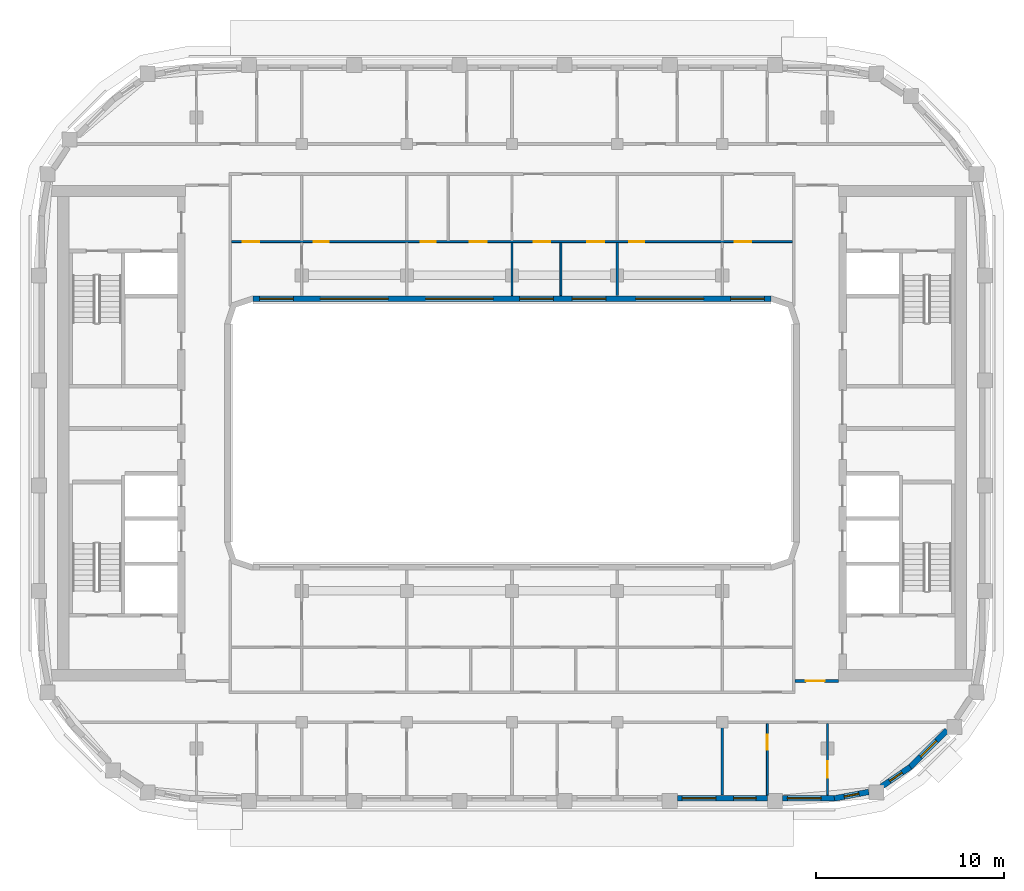
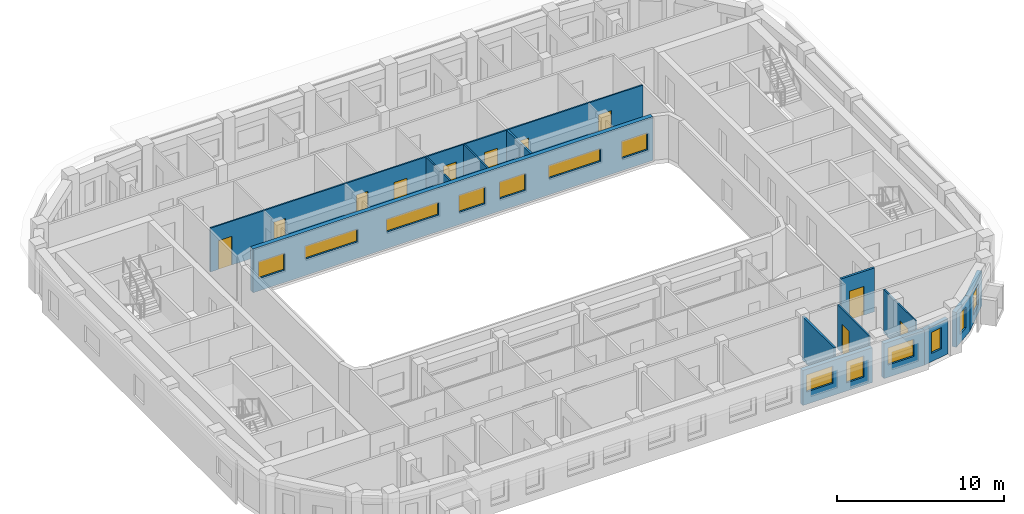
# One storey, part 5 of 16: 14 walls, 13 windows, 11 doors, 24 openings.
"""IFC4 building model written with IfcOpenShell, lengths in metres."""

from ifc_helpers import new_model, si_unit, direction, frame, frame_2d, origin, place, context, subcontext, project, spatial, rectangle, extrude, material, layer, layer_set, type_object, element, fill, save


model = new_model("IFC4")

# Units and contexts
model_context = context("Model", 3, precision=1e-05, world=origin(), true_north=direction((0.0, 1.0)))
body_context = subcontext(model_context, "Body", "Model", "MODEL_VIEW")
ifc_project = project(units=[si_unit("LENGTHUNIT", "METRE"), si_unit("AREAUNIT", "SQUARE_METRE"), si_unit("VOLUMEUNIT", "CUBIC_METRE"), si_unit("PLANEANGLEUNIT", "RADIAN"), si_unit("MASSUNIT", "GRAM", prefix="KILO")], contexts=[model_context])

# Site, building, storey
site_placement = place(None, origin())
site = spatial("IfcSite", under=ifc_project, at=site_placement, CompositionType="ELEMENT")
building_placement = place(site_placement, origin())
building = spatial("IfcBuilding", under=site, at=building_placement, Name="Kiln Ring Residences", CompositionType="ELEMENT")
storey_placement = place(building_placement, frame((0.0, 0.0, 255.699951171875)))
storey = spatial("IfcBuildingStorey", under=building, at=storey_placement, Name="L66", CompositionType="ELEMENT", Elevation=255.699951171875)

# Wall, openings, windows
ifc_material_1 = material(Name="Brick masonry, dark clay brick", Category="masonry")
ifc_layer_1 = layer(ifc_material_1, 0.300048828125)
ifc_layer_set_1 = layer_set([ifc_layer_1], Name="EW-300 BRICK WALL")
wall_type_1 = type_object("IfcWallType", Name="EW-300 BRICK WALL", PredefinedType="SOLIDWALL", material=ifc_layer_set_1)
wall_1_placement = place(storey_placement, frame((8.800048828125, -19.449951171875, 0.0), z_axis=(0.0, 0.0, 1.0), x_axis=(1.0, 0.0, 0.0)))
wall_1 = element("IfcWall", 1, at=wall_1_placement, inside=storey, type_object=wall_type_1, Name="Facade wall L66 9", PredefinedType="SOLIDWALL", context=body_context, shape_type="SweptSolid", body=[
    extrude(rectangle(XDim=4.800048828125, YDim=0.300048828125, at=frame_2d((2.39990234375, 0.0))), origin(), (0.0, 0.0, 1.0), 2.550048828125),
])
opening_1_placement = place(wall_1_placement, frame((0.262451171875, 0.0, 0.89990234375)))
opening_1 = element("IfcOpeningElement", 2, at=opening_1_placement, cuts=wall_1, Name="Opening W2", PredefinedType="OPENING", context=body_context, shape_type="SweptSolid", body=[
    extrude(rectangle(XDim=1.800048828125, YDim=1.25, at=frame_2d((0.89990234375, 0.625))), frame((0.0, 0.159912109375, 0.0), z_axis=(0.0, -1.0, 0.0), x_axis=(1.0, 0.0, 0.0)), (0.0, 0.0, 1.0), 0.320068359375),
])
opening_2_placement = place(wall_1_placement, frame((3.0, 0.0, 0.60009765625)))
opening_2 = element("IfcOpeningElement", 3, at=opening_2_placement, cuts=wall_1, Name="Opening W1", PredefinedType="OPENING", context=body_context, shape_type="SweptSolid", body=[
    extrude(rectangle(XDim=1.199951171875, YDim=1.550048828125, at=frame_2d((0.60009765625, 0.77490234375))), frame((0.0, 0.159912109375, 0.0), z_axis=(0.0, -1.0, 0.0), x_axis=(1.0, 0.0, 0.0)), (0.0, 0.0, 1.0), 0.320068359375),
])
ifc_material_2 = material(Name="Aluminium frame with double glazing", Category="aluminium")
window_type_1 = type_object("IfcWindowType", Name="WINDOW 1200 x 1550", PartitioningType="SINGLE_PANEL", PredefinedType="WINDOW", material=ifc_material_2)
window_1_placement = place(opening_2_placement, origin())
window_1 = element("IfcWindow", 4, at=window_1_placement, inside=storey, type_object=window_type_1, Name="Window L66 13", OverallHeight=1.550048828125, OverallWidth=1.199951171875, PartitioningType="SINGLE_PANEL", PredefinedType="WINDOW", context=body_context, shape_type="SweptSolid", body=[
    extrude(rectangle(XDim=1.199951171875, YDim=1.550048828125, at=frame_2d((0.60009765625, 0.77490234375))), frame((0.0, 0.030029296875, 0.0), z_axis=(0.0, -1.0, 0.0), x_axis=(1.0, 0.0, 0.0)), (0.0, 0.0, 1.0), 0.06005859375),
])
fill(opening_2, window_1)
ifc_material_3 = material(Name="Aluminium frame with double glazing", Category="aluminium")
window_type_2 = type_object("IfcWindowType", Name="WINDOW 1800 x 1250", PartitioningType="SINGLE_PANEL", PredefinedType="WINDOW", material=ifc_material_3)
window_2_placement = place(opening_1_placement, origin())
window_2 = element("IfcWindow", 5, at=window_2_placement, inside=storey, type_object=window_type_2, Name="Window L66 12", OverallHeight=1.25, OverallWidth=1.800048828125, PartitioningType="SINGLE_PANEL", PredefinedType="WINDOW", context=body_context, shape_type="SweptSolid", body=[
    extrude(rectangle(XDim=1.800048828125, YDim=1.25, at=frame_2d((0.89990234375, 0.625))), frame((0.0, 0.030029296875, 0.0), z_axis=(0.0, -1.0, 0.0), x_axis=(1.0, 0.0, 0.0)), (0.0, 0.0, 1.0), 0.06005859375),
])
fill(opening_1, window_2)

# Wall, opening, window
wall_2_placement = place(storey_placement, frame((14.39990234375, -19.449951171875, 0.0), z_axis=(0.0, 0.0, 1.0), x_axis=(1.0, 0.0, 0.0)))
wall_2 = element("IfcWall", 6, at=wall_2_placement, inside=storey, type_object=wall_type_1, Name="Facade wall L66 10", PredefinedType="SOLIDWALL", context=body_context, shape_type="SweptSolid", body=[
    extrude(rectangle(XDim=2.800048828125, YDim=0.300048828125, at=frame_2d((1.39990234375, 0.0))), origin(), (0.0, 0.0, 1.0), 2.550048828125),
])
opening_3_placement = place(wall_2_placement, frame((0.262451171875, 0.0, 0.89990234375)))
opening_3 = element("IfcOpeningElement", 7, at=opening_3_placement, cuts=wall_2, Name="Opening W2", PredefinedType="OPENING", context=body_context, shape_type="SweptSolid", body=[
    extrude(rectangle(XDim=1.800048828125, YDim=1.25, at=frame_2d((0.89990234375, 0.625))), frame((0.0, 0.159912109375, 0.0), z_axis=(0.0, -1.0, 0.0), x_axis=(1.0, 0.0, 0.0)), (0.0, 0.0, 1.0), 0.320068359375),
])
window_3_placement = place(opening_3_placement, origin())
window_3 = element("IfcWindow", 8, at=window_3_placement, inside=storey, type_object=window_type_2, Name="Window L66 14", OverallHeight=1.25, OverallWidth=1.800048828125, PartitioningType="SINGLE_PANEL", PredefinedType="WINDOW", context=body_context, shape_type="SweptSolid", body=[
    extrude(rectangle(XDim=1.800048828125, YDim=1.25, at=frame_2d((0.89990234375, 0.625))), frame((0.0, 0.030029296875, 0.0), z_axis=(0.0, -1.0, 0.0), x_axis=(1.0, 0.0, 0.0)), (0.0, 0.0, 1.0), 0.06005859375),
])
fill(opening_3, window_3)

wall_3_placement = place(storey_placement, frame((17.171875, -19.45263671875, 0.0), z_axis=(0.0, 0.0, 1.0), x_axis=(0.982301706131, 0.187305520826, 0.0)))
wall_3 = element("IfcWall", 9, at=wall_3_placement, inside=storey, type_object=wall_type_1, Name="Facade wall L66 11", PredefinedType="SOLIDWALL", context=body_context, shape_type="SweptSolid", body=[
    extrude(rectangle(XDim=1.856201171875, YDim=0.300048828125, at=frame_2d((0.92822265625, 0.0))), origin(), (0.0, 0.0, 1.0), 2.550048828125),
])
opening_4_placement = place(wall_3_placement, frame((0.528076171875, 0.0, 0.60009765625)))
opening_4 = element("IfcOpeningElement", 10, at=opening_4_placement, cuts=wall_3, Name="Opening W5", PredefinedType="OPENING", context=body_context, shape_type="SweptSolid", body=[
    extrude(rectangle(XDim=0.800048828125, YDim=1.550048828125, at=frame_2d((0.39990234375, 0.77490234375))), frame((0.0, 0.159912109375, 0.0), z_axis=(0.0, -1.0, 0.0), x_axis=(1.0, 0.0, 0.0)), (0.0, 0.0, 1.0), 0.320068359375),
])
ifc_material_4 = material(Name="Aluminium frame with double glazing", Category="aluminium")
window_type_3 = type_object("IfcWindowType", Name="WINDOW 800 x 1550", PartitioningType="SINGLE_PANEL", PredefinedType="WINDOW", material=ifc_material_4)
window_4_placement = place(opening_4_placement, origin())
window_4 = element("IfcWindow", 11, at=window_4_placement, inside=storey, type_object=window_type_3, Name="Window L66 15", OverallHeight=1.550048828125, OverallWidth=0.800048828125, PartitioningType="SINGLE_PANEL", PredefinedType="WINDOW", context=body_context, shape_type="SweptSolid", body=[
    extrude(rectangle(XDim=0.800048828125, YDim=1.550048828125, at=frame_2d((0.39990234375, 0.77490234375))), frame((0.0, 0.030029296875, 0.0), z_axis=(0.0, -1.0, 0.0), x_axis=(1.0, 0.0, 0.0)), (0.0, 0.0, 1.0), 0.06005859375),
])
fill(opening_4, window_4)

wall_4_placement = place(storey_placement, frame((19.677734375, -18.822265625, 0.0), z_axis=(0.0, 0.0, 1.0), x_axis=(0.826997446962, 0.562205676526, 0.0)))
wall_4 = element("IfcWall", 12, at=wall_4_placement, inside=storey, type_object=wall_type_1, Name="Facade wall L66 12", PredefinedType="SOLIDWALL", context=body_context, shape_type="SweptSolid", body=[
    extrude(rectangle(XDim=1.85595703125, YDim=0.300048828125, at=frame_2d((0.927978515625, 0.0))), origin(), (0.0, 0.0, 1.0), 2.550048828125),
])
opening_5_placement = place(wall_4_placement, frame((0.528076171875, 0.0, 0.60009765625)))
opening_5 = element("IfcOpeningElement", 13, at=opening_5_placement, cuts=wall_4, Name="Opening W5", PredefinedType="OPENING", context=body_context, shape_type="SweptSolid", body=[
    extrude(rectangle(XDim=0.800048828125, YDim=1.550048828125, at=frame_2d((0.39990234375, 0.77490234375))), frame((0.0, 0.159912109375, 0.0), z_axis=(0.0, -1.0, 0.0), x_axis=(1.0, 0.0, 0.0)), (0.0, 0.0, 1.0), 0.320068359375),
])
window_5_placement = place(opening_5_placement, origin())
window_5 = element("IfcWindow", 14, at=window_5_placement, inside=storey, type_object=window_type_3, Name="Window L66 16", OverallHeight=1.550048828125, OverallWidth=0.800048828125, PartitioningType="SINGLE_PANEL", PredefinedType="WINDOW", context=body_context, shape_type="SweptSolid", body=[
    extrude(rectangle(XDim=0.800048828125, YDim=1.550048828125, at=frame_2d((0.39990234375, 0.77490234375))), frame((0.0, 0.030029296875, 0.0), z_axis=(0.0, -1.0, 0.0), x_axis=(1.0, 0.0, 0.0)), (0.0, 0.0, 1.0), 0.06005859375),
])
fill(opening_5, window_5)

wall_5_placement = place(storey_placement, frame((21.19091796875, -17.796875, 0.0), z_axis=(0.0, 0.0, 1.0), x_axis=(0.707106781187, 0.707106781187, 0.0)))
wall_5 = element("IfcWall", 15, at=wall_5_placement, inside=storey, type_object=wall_type_1, Name="Facade wall L66 13", PredefinedType="SOLIDWALL", context=body_context, shape_type="SweptSolid", body=[
    extrude(rectangle(XDim=2.800048828125, YDim=0.300048828125, at=frame_2d((1.39990234375, 0.0))), origin(), (0.0, 0.0, 1.0), 2.550048828125),
])
opening_6_placement = place(wall_5_placement, frame((0.800048828125, 0.0, 0.60009765625)))
opening_6 = element("IfcOpeningElement", 16, at=opening_6_placement, cuts=wall_5, Name="Opening W1", PredefinedType="OPENING", context=body_context, shape_type="SweptSolid", body=[
    extrude(rectangle(XDim=1.199951171875, YDim=1.550048828125, at=frame_2d((0.60009765625, 0.77490234375))), frame((0.0, 0.159912109375, 0.0), z_axis=(0.0, -1.0, 0.0), x_axis=(1.0, 0.0, 0.0)), (0.0, 0.0, 1.0), 0.320068359375),
])
window_6_placement = place(opening_6_placement, origin())
window_6 = element("IfcWindow", 17, at=window_6_placement, inside=storey, type_object=window_type_1, Name="Window L66 17", OverallHeight=1.550048828125, OverallWidth=1.199951171875, PartitioningType="SINGLE_PANEL", PredefinedType="WINDOW", context=body_context, shape_type="SweptSolid", body=[
    extrude(rectangle(XDim=1.199951171875, YDim=1.550048828125, at=frame_2d((0.60009765625, 0.77490234375))), frame((0.0, 0.030029296875, 0.0), z_axis=(0.0, -1.0, 0.0), x_axis=(1.0, 0.0, 0.0)), (0.0, 0.0, 1.0), 0.06005859375),
])
fill(opening_6, window_6)

# Wall, openings, windows
wall_6_placement = place(storey_placement, frame((-13.800048828125, 7.14990234375, 0.0), z_axis=(0.0, 0.0, 1.0), x_axis=(1.0, 0.0, 0.0)))
wall_6 = element("IfcWall", 18, at=wall_6_placement, inside=storey, type_object=wall_type_1, Name="Facade wall L66 46", PredefinedType="SOLIDWALL", context=body_context, shape_type="SweptSolid", body=[
    extrude(rectangle(XDim=27.60009765625, YDim=0.300048828125, at=frame_2d((13.800048828125, 0.0))), origin(), (0.0, 0.0, 1.0), 3.199951171875),
])
opening_7_placement = place(wall_6_placement, frame((0.362548828125, 0.0, 0.89990234375)))
opening_7 = element("IfcOpeningElement", 19, at=opening_7_placement, cuts=wall_6, Name="Opening W2", PredefinedType="OPENING", context=body_context, shape_type="SweptSolid", body=[
    extrude(rectangle(XDim=1.800048828125, YDim=1.25, at=frame_2d((0.89990234375, 0.625))), frame((0.0, 0.159912109375, 0.0), z_axis=(0.0, -1.0, 0.0), x_axis=(1.0, 0.0, 0.0)), (0.0, 0.0, 1.0), 0.320068359375),
])
opening_8_placement = place(wall_6_placement, frame((3.60009765625, 0.0, 1.199951171875)))
opening_8 = element("IfcOpeningElement", 20, at=opening_8_placement, cuts=wall_6, Name="Opening W4", PredefinedType="OPENING", context=body_context, shape_type="SweptSolid", body=[
    extrude(rectangle(XDim=3.60009765625, YDim=0.949951171875, at=frame_2d((1.800048828125, 0.47509765625))), frame((0.0, 0.159912109375, 0.0), z_axis=(0.0, -1.0, 0.0), x_axis=(1.0, 0.0, 0.0)), (0.0, 0.0, 1.0), 0.320068359375),
])
opening_9_placement = place(wall_6_placement, frame((9.199951171875, 0.0, 1.199951171875)))
opening_9 = element("IfcOpeningElement", 21, at=opening_9_placement, cuts=wall_6, Name="Opening W4", PredefinedType="OPENING", context=body_context, shape_type="SweptSolid", body=[
    extrude(rectangle(XDim=3.60009765625, YDim=0.949951171875, at=frame_2d((1.800048828125, 0.47509765625))), frame((0.0, 0.159912109375, 0.0), z_axis=(0.0, -1.0, 0.0), x_axis=(1.0, 0.0, 0.0)), (0.0, 0.0, 1.0), 0.320068359375),
])
opening_10_placement = place(wall_6_placement, frame((14.199951171875, 0.0, 0.89990234375)))
opening_10 = element("IfcOpeningElement", 22, at=opening_10_placement, cuts=wall_6, Name="Opening W2", PredefinedType="OPENING", context=body_context, shape_type="SweptSolid", body=[
    extrude(rectangle(XDim=1.800048828125, YDim=1.25, at=frame_2d((0.89990234375, 0.625))), frame((0.0, 0.159912109375, 0.0), z_axis=(0.0, -1.0, 0.0), x_axis=(1.0, 0.0, 0.0)), (0.0, 0.0, 1.0), 0.320068359375),
])
opening_11_placement = place(wall_6_placement, frame((17.0, 0.0, 0.89990234375)))
opening_11 = element("IfcOpeningElement", 23, at=opening_11_placement, cuts=wall_6, Name="Opening W2", PredefinedType="OPENING", context=body_context, shape_type="SweptSolid", body=[
    extrude(rectangle(XDim=1.800048828125, YDim=1.25, at=frame_2d((0.89990234375, 0.625))), frame((0.0, 0.159912109375, 0.0), z_axis=(0.0, -1.0, 0.0), x_axis=(1.0, 0.0, 0.0)), (0.0, 0.0, 1.0), 0.320068359375),
])
opening_12_placement = place(wall_6_placement, frame((20.39990234375, 0.0, 1.199951171875)))
opening_12 = element("IfcOpeningElement", 24, at=opening_12_placement, cuts=wall_6, Name="Opening W4", PredefinedType="OPENING", context=body_context, shape_type="SweptSolid", body=[
    extrude(rectangle(XDim=3.60009765625, YDim=0.949951171875, at=frame_2d((1.800048828125, 0.47509765625))), frame((0.0, 0.159912109375, 0.0), z_axis=(0.0, -1.0, 0.0), x_axis=(1.0, 0.0, 0.0)), (0.0, 0.0, 1.0), 0.320068359375),
])
opening_13_placement = place(wall_6_placement, frame((25.4375, 0.0, 0.89990234375)))
opening_13 = element("IfcOpeningElement", 25, at=opening_13_placement, cuts=wall_6, Name="Opening W2", PredefinedType="OPENING", context=body_context, shape_type="SweptSolid", body=[
    extrude(rectangle(XDim=1.800048828125, YDim=1.25, at=frame_2d((0.89990234375, 0.625))), frame((0.0, 0.159912109375, 0.0), z_axis=(0.0, -1.0, 0.0), x_axis=(1.0, 0.0, 0.0)), (0.0, 0.0, 1.0), 0.320068359375),
])
window_7_placement = place(opening_7_placement, origin())
window_7 = element("IfcWindow", 26, at=window_7_placement, inside=storey, type_object=window_type_2, Name="Window L66 37", OverallHeight=1.25, OverallWidth=1.800048828125, PartitioningType="SINGLE_PANEL", PredefinedType="WINDOW", context=body_context, shape_type="SweptSolid", body=[
    extrude(rectangle(XDim=1.800048828125, YDim=1.25, at=frame_2d((0.89990234375, 0.625))), frame((0.0, 0.030029296875, 0.0), z_axis=(0.0, -1.0, 0.0), x_axis=(1.0, 0.0, 0.0)), (0.0, 0.0, 1.0), 0.06005859375),
])
fill(opening_7, window_7)
window_8_placement = place(opening_10_placement, origin())
window_8 = element("IfcWindow", 27, at=window_8_placement, inside=storey, type_object=window_type_2, Name="Window L66 40", OverallHeight=1.25, OverallWidth=1.800048828125, PartitioningType="SINGLE_PANEL", PredefinedType="WINDOW", context=body_context, shape_type="SweptSolid", body=[
    extrude(rectangle(XDim=1.800048828125, YDim=1.25, at=frame_2d((0.89990234375, 0.625))), frame((0.0, 0.030029296875, 0.0), z_axis=(0.0, -1.0, 0.0), x_axis=(1.0, 0.0, 0.0)), (0.0, 0.0, 1.0), 0.06005859375),
])
fill(opening_10, window_8)
window_9_placement = place(opening_11_placement, origin())
window_9 = element("IfcWindow", 28, at=window_9_placement, inside=storey, type_object=window_type_2, Name="Window L66 41", OverallHeight=1.25, OverallWidth=1.800048828125, PartitioningType="SINGLE_PANEL", PredefinedType="WINDOW", context=body_context, shape_type="SweptSolid", body=[
    extrude(rectangle(XDim=1.800048828125, YDim=1.25, at=frame_2d((0.89990234375, 0.625))), frame((0.0, 0.030029296875, 0.0), z_axis=(0.0, -1.0, 0.0), x_axis=(1.0, 0.0, 0.0)), (0.0, 0.0, 1.0), 0.06005859375),
])
fill(opening_11, window_9)
window_10_placement = place(opening_13_placement, origin())
window_10 = element("IfcWindow", 29, at=window_10_placement, inside=storey, type_object=window_type_2, Name="Window L66 43", OverallHeight=1.25, OverallWidth=1.800048828125, PartitioningType="SINGLE_PANEL", PredefinedType="WINDOW", context=body_context, shape_type="SweptSolid", body=[
    extrude(rectangle(XDim=1.800048828125, YDim=1.25, at=frame_2d((0.89990234375, 0.625))), frame((0.0, 0.030029296875, 0.0), z_axis=(0.0, -1.0, 0.0), x_axis=(1.0, 0.0, 0.0)), (0.0, 0.0, 1.0), 0.06005859375),
])
fill(opening_13, window_10)
ifc_material_5 = material(Name="Aluminium frame with double glazing", Category="aluminium")
window_type_4 = type_object("IfcWindowType", Name="WINDOW 3600 x 950", PartitioningType="SINGLE_PANEL", PredefinedType="WINDOW", material=ifc_material_5)
window_11_placement = place(opening_8_placement, origin())
window_11 = element("IfcWindow", 30, at=window_11_placement, inside=storey, type_object=window_type_4, Name="Window L66 38", OverallHeight=0.949951171875, OverallWidth=3.60009765625, PartitioningType="SINGLE_PANEL", PredefinedType="WINDOW", context=body_context, shape_type="SweptSolid", body=[
    extrude(rectangle(XDim=3.60009765625, YDim=0.949951171875, at=frame_2d((1.800048828125, 0.47509765625))), frame((0.0, 0.030029296875, 0.0), z_axis=(0.0, -1.0, 0.0), x_axis=(1.0, 0.0, 0.0)), (0.0, 0.0, 1.0), 0.06005859375),
])
fill(opening_8, window_11)
window_12_placement = place(opening_9_placement, origin())
window_12 = element("IfcWindow", 31, at=window_12_placement, inside=storey, type_object=window_type_4, Name="Window L66 39", OverallHeight=0.949951171875, OverallWidth=3.60009765625, PartitioningType="SINGLE_PANEL", PredefinedType="WINDOW", context=body_context, shape_type="SweptSolid", body=[
    extrude(rectangle(XDim=3.60009765625, YDim=0.949951171875, at=frame_2d((1.800048828125, 0.47509765625))), frame((0.0, 0.030029296875, 0.0), z_axis=(0.0, -1.0, 0.0), x_axis=(1.0, 0.0, 0.0)), (0.0, 0.0, 1.0), 0.06005859375),
])
fill(opening_9, window_12)
window_13_placement = place(opening_12_placement, origin())
window_13 = element("IfcWindow", 32, at=window_13_placement, inside=storey, type_object=window_type_4, Name="Window L66 42", OverallHeight=0.949951171875, OverallWidth=3.60009765625, PartitioningType="SINGLE_PANEL", PredefinedType="WINDOW", context=body_context, shape_type="SweptSolid", body=[
    extrude(rectangle(XDim=3.60009765625, YDim=0.949951171875, at=frame_2d((1.800048828125, 0.47509765625))), frame((0.0, 0.030029296875, 0.0), z_axis=(0.0, -1.0, 0.0), x_axis=(1.0, 0.0, 0.0)), (0.0, 0.0, 1.0), 0.06005859375),
])
fill(opening_12, window_13)

# Wall, openings, doors
ifc_material_6 = material(Name="Gypsum board on steel studs", Category="steel")
ifc_layer_2 = layer(ifc_material_6, 0.10009765625)
ifc_layer_set_2 = layer_set([ifc_layer_2], Name="PARTITION-100")
wall_type_2 = type_object("IfcWallType", Name="PARTITION-100", PredefinedType="PARTITIONING", material=ifc_layer_set_2)
wall_7_placement = place(storey_placement, frame((-14.925048828125, 10.199951171875, 0.0), z_axis=(0.0, 0.0, 1.0), x_axis=(1.0, 0.0, 0.0)))
wall_7 = element("IfcWall", 33, at=wall_7_placement, inside=storey, type_object=wall_type_2, Name="Partition 005", PredefinedType="PARTITIONING", context=body_context, shape_type="SweptSolid", body=[
    extrude(rectangle(XDim=29.85009765625, YDim=0.10009765625, at=frame_2d((14.925048828125, 0.0))), origin(), (0.0, 0.0, 1.0), 3.199951171875),
])
opening_14_placement = place(wall_7_placement, frame((4.375, 0.0, 0.0)))
opening_14 = element("IfcOpeningElement", 34, at=opening_14_placement, cuts=wall_7, Name="Opening L66-D006", PredefinedType="OPENING", context=body_context, shape_type="SweptSolid", body=[
    extrude(rectangle(XDim=0.800048828125, YDim=2.10009765625, at=frame_2d((0.39990234375, 1.050048828125))), frame((0.0, 0.06005859375, 0.0), z_axis=(0.0, -1.0, 0.0), x_axis=(1.0, 0.0, 0.0)), (0.0, 0.0, 1.0), 0.1201171875),
])
opening_15_placement = place(wall_7_placement, frame((0.575927734375, 0.0, 0.0)))
opening_15 = element("IfcOpeningElement", 35, at=opening_15_placement, cuts=wall_7, Name="Opening L66-D007", PredefinedType="OPENING", context=body_context, shape_type="SweptSolid", body=[
    extrude(rectangle(XDim=0.89990234375, YDim=2.10009765625, at=frame_2d((0.449951171875, 1.050048828125))), frame((0.0, 0.06005859375, 0.0), z_axis=(0.0, -1.0, 0.0), x_axis=(1.0, 0.0, 0.0)), (0.0, 0.0, 1.0), 0.1201171875),
])
opening_16_placement = place(wall_7_placement, frame((10.074951171875, 0.0, 0.0)))
opening_16 = element("IfcOpeningElement", 36, at=opening_16_placement, cuts=wall_7, Name="Opening L66-D011", PredefinedType="OPENING", context=body_context, shape_type="SweptSolid", body=[
    extrude(rectangle(XDim=0.800048828125, YDim=2.10009765625, at=frame_2d((0.39990234375, 1.050048828125))), frame((0.0, 0.06005859375, 0.0), z_axis=(0.0, -1.0, 0.0), x_axis=(1.0, 0.0, 0.0)), (0.0, 0.0, 1.0), 0.1201171875),
])
opening_17_placement = place(wall_7_placement, frame((12.675048828125, 0.0, 0.0)))
opening_17 = element("IfcOpeningElement", 37, at=opening_17_placement, cuts=wall_7, Name="Opening L66-D012", PredefinedType="OPENING", context=body_context, shape_type="SweptSolid", body=[
    extrude(rectangle(XDim=0.89990234375, YDim=2.10009765625, at=frame_2d((0.449951171875, 1.050048828125))), frame((0.0, 0.06005859375, 0.0), z_axis=(0.0, -1.0, 0.0), x_axis=(1.0, 0.0, 0.0)), (0.0, 0.0, 1.0), 0.1201171875),
])
opening_18_placement = place(wall_7_placement, frame((16.074951171875, 0.0, 0.0)))
opening_18 = element("IfcOpeningElement", 38, at=opening_18_placement, cuts=wall_7, Name="Opening L66-D013", PredefinedType="OPENING", context=body_context, shape_type="SweptSolid", body=[
    extrude(rectangle(XDim=0.89990234375, YDim=2.10009765625, at=frame_2d((0.449951171875, 1.050048828125))), frame((0.0, 0.06005859375, 0.0), z_axis=(0.0, -1.0, 0.0), x_axis=(1.0, 0.0, 0.0)), (0.0, 0.0, 1.0), 0.1201171875),
])
opening_19_placement = place(wall_7_placement, frame((18.925048828125, 0.0, 0.0)))
opening_19 = element("IfcOpeningElement", 39, at=opening_19_placement, cuts=wall_7, Name="Opening L66-D014", PredefinedType="OPENING", context=body_context, shape_type="SweptSolid", body=[
    extrude(rectangle(XDim=0.89990234375, YDim=2.10009765625, at=frame_2d((0.449951171875, 1.050048828125))), frame((0.0, 0.06005859375, 0.0), z_axis=(0.0, -1.0, 0.0), x_axis=(1.0, 0.0, 0.0)), (0.0, 0.0, 1.0), 0.1201171875),
])
opening_20_placement = place(wall_7_placement, frame((21.175048828125, 0.0, 0.0)))
opening_20 = element("IfcOpeningElement", 40, at=opening_20_placement, cuts=wall_7, Name="Opening L66-D016", PredefinedType="OPENING", context=body_context, shape_type="SweptSolid", body=[
    extrude(rectangle(XDim=0.800048828125, YDim=2.10009765625, at=frame_2d((0.39990234375, 1.050048828125))), frame((0.0, 0.06005859375, 0.0), z_axis=(0.0, -1.0, 0.0), x_axis=(1.0, 0.0, 0.0)), (0.0, 0.0, 1.0), 0.1201171875),
])
opening_21_placement = place(wall_7_placement, frame((26.77490234375, 0.0, 0.0)))
opening_21 = element("IfcOpeningElement", 41, at=opening_21_placement, cuts=wall_7, Name="Opening L66-D017", PredefinedType="OPENING", context=body_context, shape_type="SweptSolid", body=[
    extrude(rectangle(XDim=0.89990234375, YDim=2.10009765625, at=frame_2d((0.449951171875, 1.050048828125))), frame((0.0, 0.06005859375, 0.0), z_axis=(0.0, -1.0, 0.0), x_axis=(1.0, 0.0, 0.0)), (0.0, 0.0, 1.0), 0.1201171875),
])
ifc_material_7 = material(Name="Timber door leaf", Category="wood")
door_type_1 = type_object("IfcDoorType", Name="FLAT-DOOR-800-PL", OperationType="SINGLE_SWING_LEFT", PredefinedType="DOOR", material=ifc_material_7)
door_1_placement = place(opening_14_placement, origin())
door_1 = element("IfcDoor", 42, at=door_1_placement, inside=storey, type_object=door_type_1, Name="Door L66-D006", OperationType="SINGLE_SWING_RIGHT", OverallHeight=2.10009765625, OverallWidth=0.800048828125, PredefinedType="DOOR", context=body_context, shape_type="SweptSolid", body=[
    extrude(rectangle(XDim=0.800048828125, YDim=2.10009765625, at=frame_2d((0.39990234375, 1.050048828125))), frame((0.0, 0.02490234375, 0.0), z_axis=(0.0, -1.0, 0.0), x_axis=(1.0, 0.0, 0.0)), (0.0, 0.0, 1.0), 0.050048828125),
])
fill(opening_14, door_1)
door_2_placement = place(opening_16_placement, origin())
door_2 = element("IfcDoor", 43, at=door_2_placement, inside=storey, type_object=door_type_1, Name="Door L66-D011", OperationType="SINGLE_SWING_LEFT", OverallHeight=2.10009765625, OverallWidth=0.800048828125, PredefinedType="DOOR", context=body_context, shape_type="SweptSolid", body=[
    extrude(rectangle(XDim=0.800048828125, YDim=2.10009765625, at=frame_2d((0.39990234375, 1.050048828125))), frame((0.0, 0.02490234375, 0.0), z_axis=(0.0, -1.0, 0.0), x_axis=(1.0, 0.0, 0.0)), (0.0, 0.0, 1.0), 0.050048828125),
])
fill(opening_16, door_2)
door_3_placement = place(opening_20_placement, origin())
door_3 = element("IfcDoor", 44, at=door_3_placement, inside=storey, type_object=door_type_1, Name="Door L66-D016", OperationType="SINGLE_SWING_RIGHT", OverallHeight=2.10009765625, OverallWidth=0.800048828125, PredefinedType="DOOR", context=body_context, shape_type="SweptSolid", body=[
    extrude(rectangle(XDim=0.800048828125, YDim=2.10009765625, at=frame_2d((0.39990234375, 1.050048828125))), frame((0.0, 0.02490234375, 0.0), z_axis=(0.0, -1.0, 0.0), x_axis=(1.0, 0.0, 0.0)), (0.0, 0.0, 1.0), 0.050048828125),
])
fill(opening_20, door_3)
ifc_material_8 = material(Name="Timber door leaf", Category="wood")
door_type_2 = type_object("IfcDoorType", Name="FLAT-DOOR-900-PL", OperationType="SINGLE_SWING_LEFT", PredefinedType="DOOR", material=ifc_material_8)
door_4_placement = place(opening_15_placement, origin())
door_4 = element("IfcDoor", 45, at=door_4_placement, inside=storey, type_object=door_type_2, Name="Door L66-D007", OperationType="SINGLE_SWING_LEFT", OverallHeight=2.10009765625, OverallWidth=0.89990234375, PredefinedType="DOOR", context=body_context, shape_type="SweptSolid", body=[
    extrude(rectangle(XDim=0.89990234375, YDim=2.10009765625, at=frame_2d((0.449951171875, 1.050048828125))), frame((0.0, 0.02490234375, 0.0), z_axis=(0.0, -1.0, 0.0), x_axis=(1.0, 0.0, 0.0)), (0.0, 0.0, 1.0), 0.050048828125),
])
fill(opening_15, door_4)
door_5_placement = place(opening_17_placement, origin())
door_5 = element("IfcDoor", 46, at=door_5_placement, inside=storey, type_object=door_type_2, Name="Door L66-D012", OperationType="SINGLE_SWING_RIGHT", OverallHeight=2.10009765625, OverallWidth=0.89990234375, PredefinedType="DOOR", context=body_context, shape_type="SweptSolid", body=[
    extrude(rectangle(XDim=0.89990234375, YDim=2.10009765625, at=frame_2d((0.449951171875, 1.050048828125))), frame((0.0, 0.02490234375, 0.0), z_axis=(0.0, -1.0, 0.0), x_axis=(1.0, 0.0, 0.0)), (0.0, 0.0, 1.0), 0.050048828125),
])
fill(opening_17, door_5)
door_6_placement = place(opening_18_placement, origin())
door_6 = element("IfcDoor", 47, at=door_6_placement, inside=storey, type_object=door_type_2, Name="Door L66-D013", OperationType="SINGLE_SWING_RIGHT", OverallHeight=2.10009765625, OverallWidth=0.89990234375, PredefinedType="DOOR", context=body_context, shape_type="SweptSolid", body=[
    extrude(rectangle(XDim=0.89990234375, YDim=2.10009765625, at=frame_2d((0.449951171875, 1.050048828125))), frame((0.0, 0.02490234375, 0.0), z_axis=(0.0, -1.0, 0.0), x_axis=(1.0, 0.0, 0.0)), (0.0, 0.0, 1.0), 0.050048828125),
])
fill(opening_18, door_6)
door_7_placement = place(opening_19_placement, origin())
door_7 = element("IfcDoor", 48, at=door_7_placement, inside=storey, type_object=door_type_2, Name="Door L66-D014", OperationType="SINGLE_SWING_RIGHT", OverallHeight=2.10009765625, OverallWidth=0.89990234375, PredefinedType="DOOR", context=body_context, shape_type="SweptSolid", body=[
    extrude(rectangle(XDim=0.89990234375, YDim=2.10009765625, at=frame_2d((0.449951171875, 1.050048828125))), frame((0.0, 0.02490234375, 0.0), z_axis=(0.0, -1.0, 0.0), x_axis=(1.0, 0.0, 0.0)), (0.0, 0.0, 1.0), 0.050048828125),
])
fill(opening_19, door_7)
door_8_placement = place(opening_21_placement, origin())
door_8 = element("IfcDoor", 49, at=door_8_placement, inside=storey, type_object=door_type_2, Name="Door L66-D017", OperationType="SINGLE_SWING_LEFT", OverallHeight=2.10009765625, OverallWidth=0.89990234375, PredefinedType="DOOR", context=body_context, shape_type="SweptSolid", body=[
    extrude(rectangle(XDim=0.89990234375, YDim=2.10009765625, at=frame_2d((0.449951171875, 1.050048828125))), frame((0.0, 0.02490234375, 0.0), z_axis=(0.0, -1.0, 0.0), x_axis=(1.0, 0.0, 0.0)), (0.0, 0.0, 1.0), 0.050048828125),
])
fill(opening_21, door_8)

# Walls
for number, where, z_axis, x_axis, name in (
    (50, (0.0, 7.320068359375, 0.0), (0.0, 0.0, 1.0), (0.0, 1.0, 0.0), "Partition 032"),
    (51, (2.60009765625, 7.320068359375, 0.0), (0.0, 0.0, 1.0), (0.0, 1.0, 0.0), "Partition 039"),
):
    element("IfcWall", number, at=place(storey_placement, frame(where, z_axis=z_axis, x_axis=x_axis)), inside=storey, type_object=wall_type_2, Name=name, PredefinedType="PARTITIONING", context=body_context, shape_type="SweptSolid", body=[
        extrude(rectangle(XDim=2.829833984375, YDim=0.10009765625, at=frame_2d((1.4150390625, 0.0))), origin(), (0.0, 0.0, 1.0), 3.199951171875),
    ])

# Wall, opening, door
wall_8_placement = place(storey_placement, frame((13.60009765625, -19.280029296875, 0.0), z_axis=(0.0, 0.0, 1.0), x_axis=(0.0, 1.0, 0.0)))
wall_8 = element("IfcWall", 52, at=wall_8_placement, inside=storey, type_object=wall_type_2, Name="Partition 054", PredefinedType="PARTITIONING", context=body_context, shape_type="SweptSolid", body=[
    extrude(rectangle(XDim=3.804931640625, YDim=0.10009765625, at=frame_2d((1.90234375, 0.0))), origin(), (0.0, 0.0, 1.0), 3.199951171875),
])
opening_22_placement = place(wall_8_placement, frame((2.428955078125, 0.0, 0.0)))
opening_22 = element("IfcOpeningElement", 53, at=opening_22_placement, cuts=wall_8, Name="Opening L66-D055", PredefinedType="OPENING", context=body_context, shape_type="SweptSolid", body=[
    extrude(rectangle(XDim=0.800048828125, YDim=2.10009765625, at=frame_2d((0.39990234375, 1.050048828125))), frame((0.0, 0.06005859375, 0.0), z_axis=(0.0, -1.0, 0.0), x_axis=(1.0, 0.0, 0.0)), (0.0, 0.0, 1.0), 0.1201171875),
])
door_9_placement = place(opening_22_placement, origin())
door_9 = element("IfcDoor", 54, at=door_9_placement, inside=storey, type_object=door_type_1, Name="Door L66-D055", OperationType="SINGLE_SWING_LEFT", OverallHeight=2.10009765625, OverallWidth=0.800048828125, PredefinedType="DOOR", context=body_context, shape_type="SweptSolid", body=[
    extrude(rectangle(XDim=0.800048828125, YDim=2.10009765625, at=frame_2d((0.39990234375, 1.050048828125))), frame((0.0, 0.02490234375, 0.0), z_axis=(0.0, -1.0, 0.0), x_axis=(1.0, 0.0, 0.0)), (0.0, 0.0, 1.0), 0.050048828125),
])
fill(opening_22, door_9)

wall_9_placement = place(storey_placement, frame((16.800048828125, -19.280029296875, 0.0), z_axis=(0.0, 0.0, 1.0), x_axis=(0.0, 1.0, 0.0)))
wall_9 = element("IfcWall", 55, at=wall_9_placement, inside=storey, type_object=wall_type_2, Name="Partition 058", PredefinedType="PARTITIONING", context=body_context, shape_type="SweptSolid", body=[
    extrude(rectangle(XDim=3.804931640625, YDim=0.10009765625, at=frame_2d((1.90234375, 0.0))), origin(), (0.0, 0.0, 1.0), 3.199951171875),
])
opening_23_placement = place(wall_9_placement, frame((0.919921875, 0.0, 0.0)))
opening_23 = element("IfcOpeningElement", 56, at=opening_23_placement, cuts=wall_9, Name="Opening L66-D056", PredefinedType="OPENING", context=body_context, shape_type="SweptSolid", body=[
    extrude(rectangle(XDim=0.89990234375, YDim=2.10009765625, at=frame_2d((0.449951171875, 1.050048828125))), frame((0.0, 0.06005859375, 0.0), z_axis=(0.0, -1.0, 0.0), x_axis=(1.0, 0.0, 0.0)), (0.0, 0.0, 1.0), 0.1201171875),
])
door_10_placement = place(opening_23_placement, origin())
door_10 = element("IfcDoor", 57, at=door_10_placement, inside=storey, type_object=door_type_2, Name="Door L66-D056", OperationType="SINGLE_SWING_LEFT", OverallHeight=2.10009765625, OverallWidth=0.89990234375, PredefinedType="DOOR", context=body_context, shape_type="SweptSolid", body=[
    extrude(rectangle(XDim=0.89990234375, YDim=2.10009765625, at=frame_2d((0.449951171875, 1.050048828125))), frame((0.0, 0.02490234375, 0.0), z_axis=(0.0, -1.0, 0.0), x_axis=(1.0, 0.0, 0.0)), (0.0, 0.0, 1.0), 0.050048828125),
])
fill(opening_23, door_10)

ifc_material_9 = material(Name="Brick masonry partition", Category="masonry")
ifc_layer_3 = layer(ifc_material_9, 0.14990234375)
ifc_layer_set_3 = layer_set([ifc_layer_3], Name="PARTITION-150-ei60")
wall_type_3 = type_object("IfcWallType", Name="PARTITION-150-ei60", PredefinedType="PARTITIONING", material=ifc_layer_set_3)
wall_10_placement = place(storey_placement, frame((15.074951171875, -13.199951171875, 0.0), z_axis=(0.0, 0.0, 1.0), x_axis=(1.0, 0.0, 0.0)))
wall_10 = element("IfcWall", 58, at=wall_10_placement, inside=storey, type_object=wall_type_3, Name="Partition 003", PredefinedType="PARTITIONING", context=body_context, shape_type="SweptSolid", body=[
    extrude(rectangle(XDim=2.324951171875, YDim=0.14990234375, at=frame_2d((1.16259765625, 0.0))), origin(), (0.0, 0.0, 1.0), 3.199951171875),
])
opening_24_placement = place(wall_10_placement, frame((0.574951171875, 0.0, 0.0)))
opening_24 = element("IfcOpeningElement", 59, at=opening_24_placement, cuts=wall_10, Name="Opening L66-D004", PredefinedType="OPENING", context=body_context, shape_type="SweptSolid", body=[
    extrude(rectangle(XDim=1.0, YDim=2.10009765625, at=frame_2d((0.5, 1.050048828125))), frame((0.0, 0.0849609375, 0.0), z_axis=(0.0, -1.0, 0.0), x_axis=(1.0, 0.0, 0.0)), (0.0, 0.0, 1.0), 0.169921875),
])
ifc_material_10 = material(Name="Steel faced fire door leaf", Category="steel")
door_type_3 = type_object("IfcDoorType", Name="FLAT-DOOR-1000-FR", OperationType="SINGLE_SWING_LEFT", PredefinedType="DOOR", material=ifc_material_10)
door_11_placement = place(opening_24_placement, origin())
door_11 = element("IfcDoor", 60, at=door_11_placement, inside=storey, type_object=door_type_3, Name="Door L66-D004", OperationType="SINGLE_SWING_LEFT", OverallHeight=2.10009765625, OverallWidth=1.0, PredefinedType="DOOR", context=body_context, shape_type="SweptSolid", body=[
    extrude(rectangle(XDim=1.0, YDim=2.10009765625, at=frame_2d((0.5, 1.050048828125))), frame((0.0, 0.02490234375, 0.0), z_axis=(0.0, -1.0, 0.0), x_axis=(1.0, 0.0, 0.0)), (0.0, 0.0, 1.0), 0.050048828125),
])
fill(opening_24, door_11)

# Walls
wall_11_placement = place(storey_placement, frame((5.60009765625, 7.320068359375, 0.0), z_axis=(0.0, 0.0, 1.0), x_axis=(0.0, 1.0, 0.0)))
element("IfcWall", 61, at=wall_11_placement, inside=storey, type_object=wall_type_3, Name="Partition 045", PredefinedType="PARTITIONING", context=body_context, shape_type="SweptSolid", body=[
    extrude(rectangle(XDim=2.829833984375, YDim=0.14990234375, at=frame_2d((1.4150390625, 0.0))), origin(), (0.0, 0.0, 1.0), 3.199951171875),
])
wall_12_placement = place(storey_placement, frame((11.199951171875, -19.280029296875, 0.0), z_axis=(0.0, 0.0, 1.0), x_axis=(0.0, 1.0, 0.0)))
element("IfcWall", 62, at=wall_12_placement, inside=storey, type_object=wall_type_3, Name="Partition 052", PredefinedType="PARTITIONING", context=body_context, shape_type="SweptSolid", body=[
    extrude(rectangle(XDim=3.804931640625, YDim=0.14990234375, at=frame_2d((1.90234375, 0.0))), origin(), (0.0, 0.0, 1.0), 3.199951171875),
])

save(model, "model.ifc")
